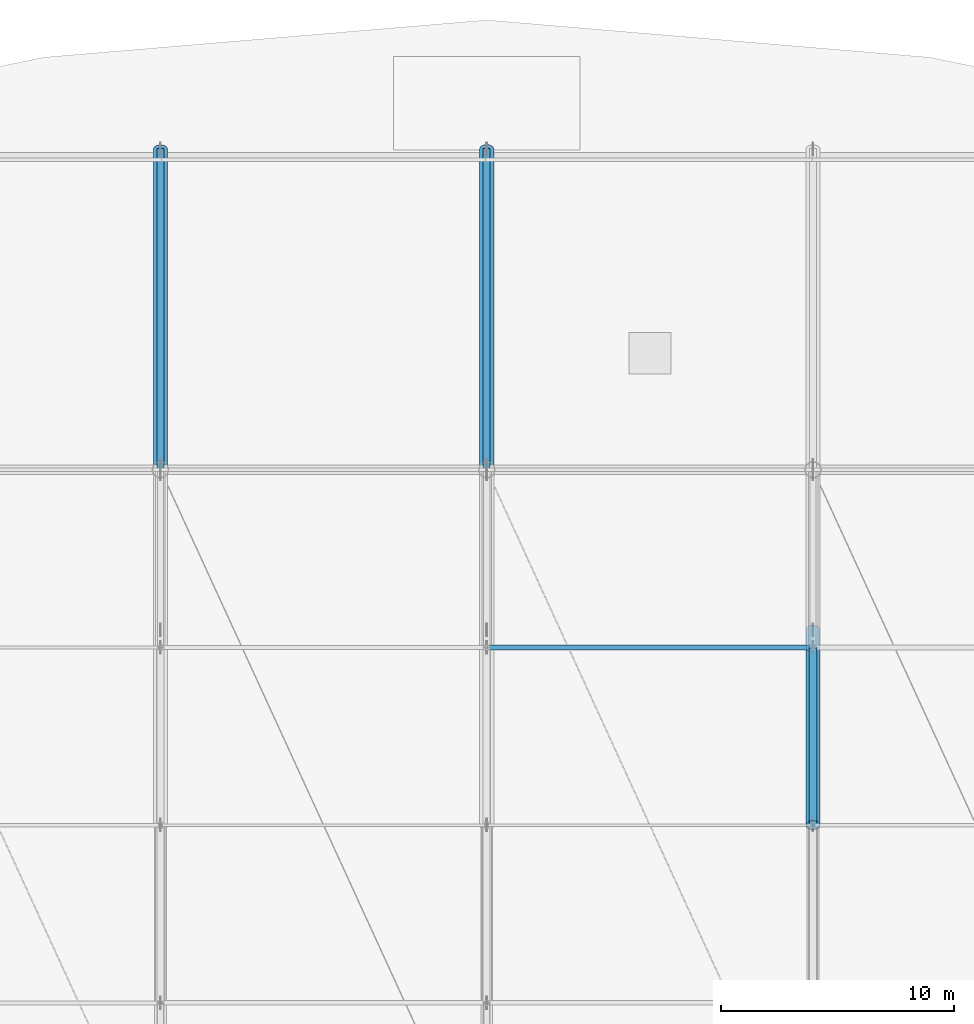
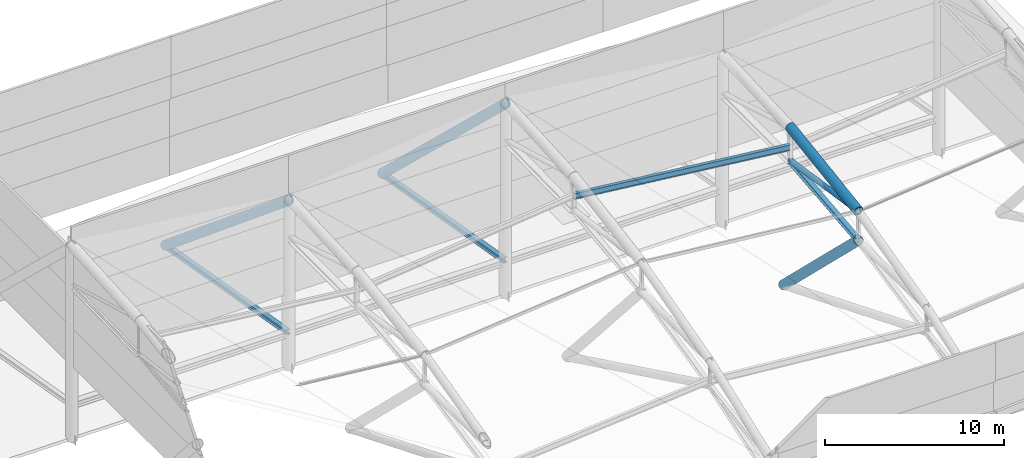
# One storey, part 61 of 113: 9 members.
"""IFC4 building model written with IfcOpenShell, lengths in metres."""

from ifc_helpers import new_model, si_unit, direction, frame, origin, origin_2d, place, context, subcontext, project, spatial, hollow_circle, i_section, extrude, material, material_profile, profile_set, type_object, element, save


model = new_model("IFC4")

# Units and contexts
model_context = context("Model", 3, precision=1e-05, world=origin(), true_north=direction((0.0, 1.0)))
body_context = subcontext(model_context, "Body", "Model", "MODEL_VIEW")
ifc_project = project(units=[si_unit("LENGTHUNIT", "METRE"), si_unit("AREAUNIT", "SQUARE_METRE"), si_unit("VOLUMEUNIT", "CUBIC_METRE"), si_unit("PLANEANGLEUNIT", "RADIAN"), si_unit("MASSUNIT", "GRAM", prefix="KILO")], contexts=[model_context])

# Site, building, storey
site_placement = place(None, origin())
site = spatial("IfcSite", under=ifc_project, at=site_placement, CompositionType="ELEMENT")
building_placement = place(site_placement, origin())
building = spatial("IfcBuilding", under=site, at=building_placement, Name="Linyun Crest Stadium", CompositionType="ELEMENT")
storey_placement = place(building_placement, frame((0.0, 0.0, 26.39990234375)))
storey = spatial("IfcBuildingStorey", under=building, at=storey_placement, Name="L06", CompositionType="ELEMENT", Elevation=26.39990234375)

# Members
ifc_material_1 = material(Name="Steel Q355B", Category="steel")
ifc_material_profile_1 = material_profile(ifc_material_1, i_section(OverallWidth=0.199951171875, OverallDepth=0.39990234375, WebThickness=0.008056640625, FlangeThickness=0.012939453125, at=origin_2d()), Name="HN 400x200")
ifc_profile_set_1 = profile_set([ifc_material_profile_1], Name="Steel Q355B")
member_type_1 = type_object("IfcMemberType", Name="PR03", PredefinedType="PURLIN", material=ifc_profile_set_1)
member_1_placement = place(storey_placement, frame((0.0, 83.875, 11.216064453125), z_axis=(0.993911393059, 0.0, -0.110182315947), x_axis=(0.0, 1.0, 0.0)))
element("IfcMember", 1, at=member_1_placement, inside=storey, type_object=member_type_1, Name="Roof canopy purlin PR03 V3 464", PredefinedType="PURLIN", context=body_context, shape_type="SweptSolid", body=[
    extrude(i_section(OverallWidth=0.199951171875, OverallDepth=0.39990234375, WebThickness=0.008056640625, FlangeThickness=0.012939453125, at=origin_2d()), origin(), (0.0, 0.0, 1.0), 14.085693359375),
])
ifc_material_2 = material(Name="Steel Q420C", Category="steel")
ifc_material_profile_2 = material_profile(ifc_material_2, hollow_circle(Radius=0.304931640625, WallThickness=0.030029296875, at=origin_2d()), Name="CHS 610x30")
ifc_profile_set_2 = profile_set([ifc_material_profile_2], Name="Steel Q420C")
member_type_2 = type_object("IfcMemberType", Name="TC02", PredefinedType="CHORD", material=ifc_profile_set_2)
member_2_placement = place(storey_placement, frame((-14.0, 91.5, 11.2001953125), z_axis=(0.0, 0.769411404483, -0.638753544531), x_axis=(-1.0, 0.0, 0.0)))
element("IfcMember", 2, at=member_2_placement, inside=storey, type_object=member_type_2, Name="Roof truss back-stay chord TC02 V3 380", PredefinedType="CHORD", context=body_context, shape_type="SweptSolid", body=[
    extrude(hollow_circle(Radius=0.304931640625, WallThickness=0.030029296875, at=origin_2d()), origin(), (0.0, 0.0, 1.0), 17.870849609375),
])
member_3_placement = place(storey_placement, frame((0.0, 91.5, 12.900146484375), z_axis=(0.0, 0.723618597883, -0.690200061429), x_axis=(-1.0, 0.0, 0.0)))
element("IfcMember", 3, at=member_3_placement, inside=storey, type_object=member_type_2, Name="Roof truss back-stay chord TC02 V3 399", PredefinedType="CHORD", context=body_context, shape_type="SweptSolid", body=[
    extrude(hollow_circle(Radius=0.304931640625, WallThickness=0.030029296875, at=origin_2d()), origin(), (0.0, 0.0, 1.0), 19.001708984375),
])
member_4_placement = place(storey_placement, frame((14.0, 83.875, 11.024169921875), z_axis=(0.0, -0.989290363574, -0.145960873314), x_axis=(1.0, 0.0, 0.0)))
element("IfcMember", 4, at=member_4_placement, inside=storey, type_object=member_type_2, Name="Roof truss top chord TC02 V3 423", PredefinedType="CHORD", context=body_context, shape_type="SweptSolid", body=[
    extrude(hollow_circle(Radius=0.304931640625, WallThickness=0.030029296875, at=origin_2d()), origin(), (0.0, 0.0, 1.0), 7.70751953125),
])
member_5_placement = place(storey_placement, frame((14.0, 84.625, -0.21484375), z_axis=(0.0, -0.717184139262, 0.696883713679), x_axis=(1.0, 0.0, 0.0)))
element("IfcMember", 5, at=member_5_placement, inside=storey, type_object=member_type_2, Name="Roof arch inclined support strut TC02 V3 435", PredefinedType="CHORD", context=body_context, shape_type="SweptSolid", body=[
    extrude(hollow_circle(Radius=0.304931640625, WallThickness=0.030029296875, at=origin_2d()), origin(), (0.0, 0.0, 1.0), 11.677734375),
])
ifc_material_3 = material(Name="Steel Q355C", Category="steel")
ifc_material_profile_3 = material_profile(ifc_material_3, i_section(OverallWidth=0.300048828125, OverallDepth=0.300048828125, WebThickness=0.010009765625, FlangeThickness=0.014892578125, at=origin_2d()), Name="HW 300x300")
ifc_profile_set_3 = profile_set([ifc_material_profile_3], Name="Steel Q355C")
member_type_3 = type_object("IfcMemberType", Name="TC03", PredefinedType="CHORD", material=ifc_profile_set_3)
for number, where, z_axis, x_axis, name in (
    (6, (-14.0, 91.5, 2.18505859375), (0.0, 0.985107588667, -0.171939055337), (-1.0, 0.0, 0.0), "Roof truss lower back-span chord TC03 V3 381"),
    (7, (0.0, 91.5, 2.18505859375), (0.0, 0.985107588667, -0.171939055337), (-1.0, 0.0, 0.0), "Roof truss lower back-span chord TC03 V3 400"),
):
    element("IfcMember", number, at=place(storey_placement, frame(where, z_axis=z_axis, x_axis=x_axis)), inside=storey, type_object=member_type_3, Name=name, PredefinedType="CHORD", context=body_context, shape_type="SweptSolid", body=[
        extrude(i_section(OverallWidth=0.300048828125, OverallDepth=0.300048828125, WebThickness=0.010009765625, FlangeThickness=0.014892578125, at=origin_2d()), origin(), (0.0, 0.0, 1.0), 13.957763671875),
    ])
member_6_placement = place(storey_placement, frame((14.0, 83.875, 8.736083984375), z_axis=(0.0, -0.994363945314, -0.106020489815), x_axis=(1.0, 0.0, 0.0)))
element("IfcMember", 8, at=member_6_placement, inside=storey, type_object=member_type_3, Name="Roof truss bottom chord TC03 V3 424", PredefinedType="CHORD", context=body_context, shape_type="SweptSolid", body=[
    extrude(i_section(OverallWidth=0.300048828125, OverallDepth=0.300048828125, WebThickness=0.010009765625, FlangeThickness=0.014892578125, at=origin_2d()), origin(), (0.0, 0.0, 1.0), 7.668212890625),
])
ifc_material_4 = material(Name="Steel Q355C", Category="steel")
ifc_material_profile_4 = material_profile(ifc_material_4, hollow_circle(Radius=0.16259765625, WallThickness=0.01611328125, at=origin_2d()), Name="CHS 325x16")
ifc_profile_set_4 = profile_set([ifc_material_profile_4], Name="Steel Q355C")
member_type_4 = type_object("IfcMemberType", Name="TD02", PredefinedType="BRACE", material=ifc_profile_set_4)
member_7_placement = place(storey_placement, frame((14.0, 83.875, 8.736083984375), z_axis=(0.0, -0.988565558637, 0.150791698301), x_axis=(1.0, 0.0, 0.0)))
element("IfcMember", 9, at=member_7_placement, inside=storey, type_object=member_type_4, Name="Roof truss diagonal TD02 V3 425", PredefinedType="BRACE", context=body_context, shape_type="SweptSolid", body=[
    extrude(hollow_circle(Radius=0.16259765625, WallThickness=0.01611328125, at=origin_2d()), origin(), (0.0, 0.0, 1.0), 7.713134765625),
])

save(model, "model.ifc")
